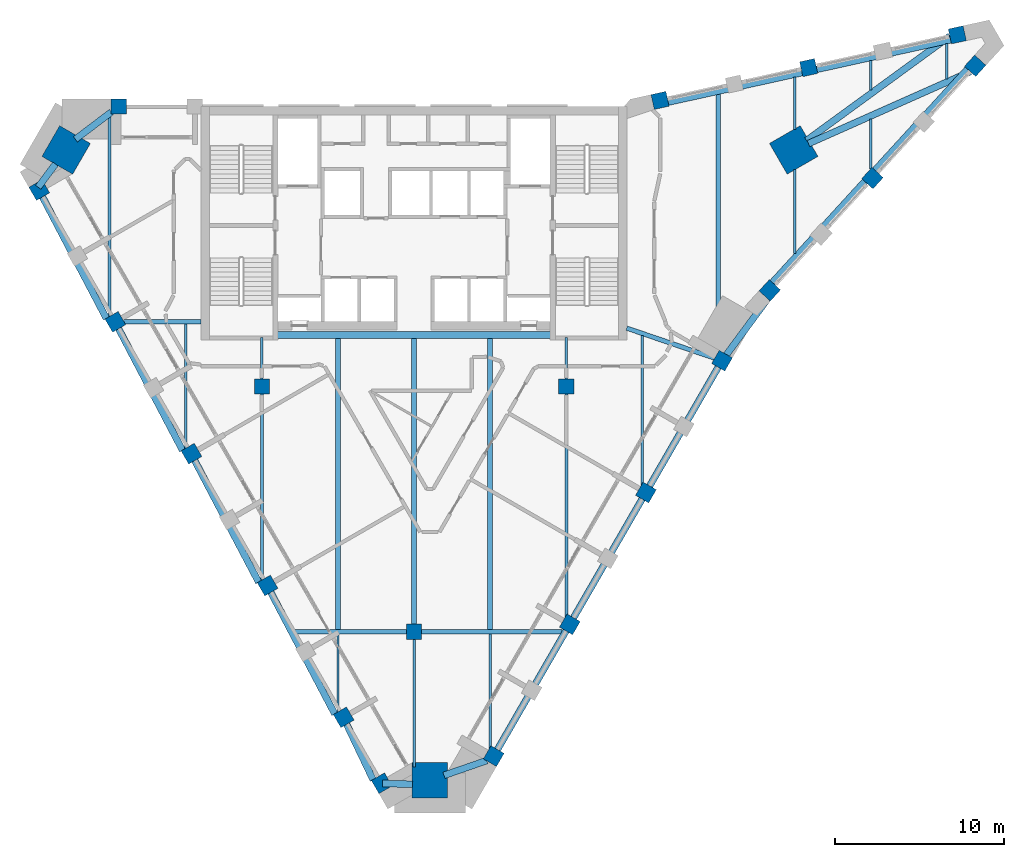
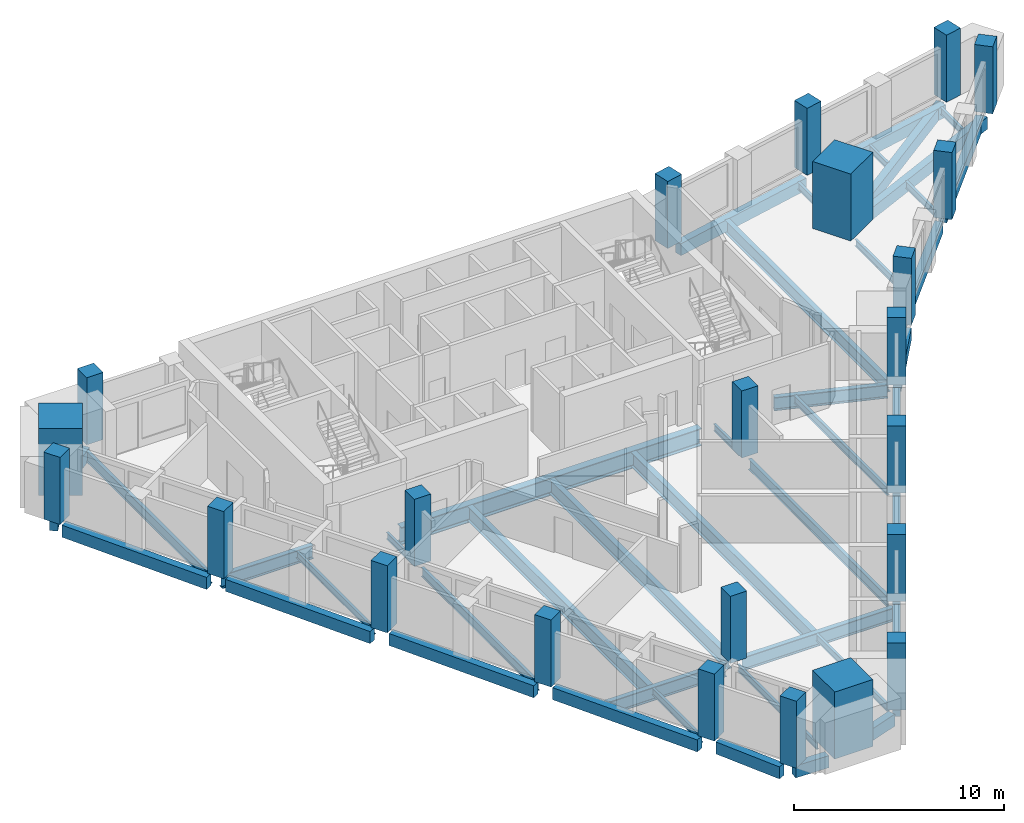
# One storey, part 1 of 9: 43 beams, 23 columns.
"""IFC4 building model written with IfcOpenShell, lengths in metres."""

from ifc_helpers import new_model, si_unit, direction, frame, origin, origin_2d, place, context, subcontext, project, spatial, rectangle, i_section, extrude, material, material_profile, profile_set, type_object, element, save


model = new_model("IFC4")

# Units and contexts
model_context = context("Model", 3, precision=1e-05, world=origin(), true_north=direction((0.0, 1.0)))
body_context = subcontext(model_context, "Body", "Model", "MODEL_VIEW")
ifc_project = project(units=[si_unit("LENGTHUNIT", "METRE"), si_unit("AREAUNIT", "SQUARE_METRE"), si_unit("VOLUMEUNIT", "CUBIC_METRE"), si_unit("PLANEANGLEUNIT", "RADIAN"), si_unit("MASSUNIT", "GRAM", prefix="KILO")], contexts=[model_context])

# Site, building, storey
site_placement = place(None, origin())
site = spatial("IfcSite", under=ifc_project, at=site_placement, CompositionType="ELEMENT")
building_placement = place(site_placement, origin())
building = spatial("IfcBuilding", under=site, at=building_placement, Name="Calabash Gate Tower", CompositionType="ELEMENT")
storey_placement = place(building_placement, frame((0.0, 0.0, 291.10009765625)))
storey = spatial("IfcBuildingStorey", under=building, at=storey_placement, Name="L70", CompositionType="ELEMENT", Elevation=291.10009765625)

# Columns
ifc_material_1 = material(Name="Concrete C60/75", Category="concrete")
ifc_material_profile_1 = material_profile(ifc_material_1, rectangle(XDim=0.89990234375, YDim=0.89990234375, at=origin_2d()))
ifc_profile_set_1 = profile_set([ifc_material_profile_1], Name="Concrete C60/75")
column_type_1 = type_object("IfcColumnType", Name="Interior column RC 900x900 Concrete C60/75", PredefinedType="COLUMN", material=ifc_profile_set_1)
for number, where, z_axis, x_axis, name in (
    (1, (-9.0, 2.5, 0.0), (0.0, 0.0, 1.0), (1.0, 0.0, 0.0), "Interior column L70 I0"),
    (2, (9.0, 2.5, 0.0), (0.0, 0.0, 1.0), (1.0, 0.0, 0.0), "Interior column L70 I1"),
    (3, (0.0, -12.0, 0.0), (0.0, 0.0, 1.0), (1.0, 0.0, 0.0), "Interior column L70 I2"),
):
    element("IfcColumn", number, at=place(storey_placement, frame(where, z_axis=z_axis, x_axis=x_axis)), inside=storey, type_object=column_type_1, Name=name, PredefinedType="COLUMN", context=body_context, shape_type="SweptSolid", body=[
        extrude(rectangle(XDim=0.89990234375, YDim=0.89990234375, at=origin_2d()), origin(), (0.0, 0.0, 1.0), 3.89990234375),
    ])
ifc_material_2 = material(Name="Concrete C60/75", Category="concrete")
ifc_material_profile_2 = material_profile(ifc_material_2, rectangle(XDim=2.10009765625, YDim=2.10009765625, at=origin_2d()))
ifc_profile_set_2 = profile_set([ifc_material_profile_2], Name="Concrete C60/75")
column_type_2 = type_object("IfcColumnType", Name="Mega column RC 2100x2100 Concrete C60/75", PredefinedType="COLUMN", material=ifc_profile_set_2)
for number, where, z_axis, x_axis, name in (
    (4, (-20.572998046875, 16.491943359375, 0.0), (0.0, 0.0, 1.0), (0.866025395058, -0.500000015115, 0.0), "Mega column L70 NW"),
    (5, (22.447021484375, 16.491943359375, 0.0), (0.0, 0.0, 1.0), (-0.866025395058, -0.500000015115, 0.0), "Mega column L70 NE"),
    (6, (0.93603515625, -20.76611328125, 0.0), (0.0, 0.0, 1.0), (0.0, 1.0, 0.0), "Mega column L70 S"),
):
    element("IfcColumn", number, at=place(storey_placement, frame(where, z_axis=z_axis, x_axis=x_axis)), inside=storey, type_object=column_type_2, Name=name, PredefinedType="COLUMN", context=body_context, shape_type="SweptSolid", body=[
        extrude(rectangle(XDim=2.10009765625, YDim=2.10009765625, at=origin_2d()), origin(), (0.0, 0.0, 1.0), 3.89990234375),
    ])
ifc_material_3 = material(Name="Concrete C50/60", Category="concrete")
ifc_material_profile_3 = material_profile(ifc_material_3, rectangle(XDim=0.89990234375, YDim=0.89990234375, at=origin_2d()))
ifc_profile_set_3 = profile_set([ifc_material_profile_3], Name="Concrete C50/60")
column_type_3 = type_object("IfcColumnType", Name="Perimeter column RC 900x900 Concrete C50/60", PredefinedType="COLUMN", material=ifc_profile_set_3)
for number, where, z_axis, x_axis, name in (
    (7, (-22.162109375, 14.1201171875, 0.0), (0.0, 0.0, 1.0), (0.500000015115, -0.866025395058, 0.0), "Perimeter column L70 P20"),
    (8, (-17.662109375, 6.325927734375, 0.0), (0.0, 0.0, 1.0), (0.500000015115, -0.866025395058, 0.0), "Perimeter column L70 P00"),
    (9, (-13.162109375, -1.468017578125, 0.0), (0.0, 0.0, 1.0), (0.500000015115, -0.866025395058, 0.0), "Perimeter column L70 P01"),
    (10, (-8.662109375, -9.262939453125, 0.0), (0.0, 0.0, 1.0), (0.500000015115, -0.866025395058, 0.0), "Perimeter column L70 P02"),
    (11, (-4.162109375, -17.056884765625, 0.0), (0.0, 0.0, 1.0), (0.500000015115, -0.866025395058, 0.0), "Perimeter column L70 P03"),
    (12, (-1.912109375, -20.9541015625, 0.0), (0.0, 0.0, 1.0), (0.500000015115, -0.866025395058, 0.0), "Perimeter column L70 P25"),
    (13, (4.7080078125, -19.35302734375, 0.0), (0.0, 0.0, 1.0), (0.499999984885, 0.866025412511, 0.0), "Perimeter column L70 P08"),
    (14, (9.2080078125, -11.55908203125, 0.0), (0.0, 0.0, 1.0), (0.499999984885, 0.866025412511, 0.0), "Perimeter column L70 P09"),
    (15, (13.7080078125, -3.762939453125, 0.0), (0.0, 0.0, 1.0), (0.499999984885, 0.866025412511, 0.0), "Perimeter column L70 P10"),
    (16, (18.2080078125, 4.030029296875, 0.0), (0.0, 0.0, 1.0), (0.499999984885, 0.866025412511, 0.0), "Perimeter column L70 P11"),
    (17, (21.031005859375, 8.18701171875, 0.0), (0.0, 0.0, 1.0), (0.67485604152, 0.737949404244, 0.0), "Perimeter column L70 P12"),
    (18, (27.10400390625, 14.825927734375, 0.0), (0.0, 0.0, 1.0), (0.67485604152, 0.737949404244, 0.0), "Perimeter column L70 P36"),
    (19, (33.177978515625, 21.468017578125, 0.0), (0.0, 0.0, 1.0), (0.67485604152, 0.737949404244, 0.0), "Perimeter column L70 P37"),
    (20, (32.12109375, 23.298095703125, 0.0), (0.0, 0.0, 1.0), (-0.976510951543, -0.215467773731, 0.0), "Perimeter column L70 P38"),
    (21, (23.3330078125, 21.35888671875, 0.0), (0.0, 0.0, 1.0), (-0.976510951543, -0.215467773731, 0.0), "Perimeter column L70 P39"),
    (22, (14.5439453125, 19.4189453125, 0.0), (0.0, 0.0, 1.0), (-0.976510951543, -0.215467773731, 0.0), "Perimeter column L70 P40"),
    (23, (-17.466064453125, 19.052978515625, 0.0), (0.0, 0.0, 1.0), (-1.0, 0.0, 0.0), "Perimeter column L70 P31"),
):
    element("IfcColumn", number, at=place(storey_placement, frame(where, z_axis=z_axis, x_axis=x_axis)), inside=storey, type_object=column_type_3, Name=name, PredefinedType="COLUMN", context=body_context, shape_type="SweptSolid", body=[
        extrude(rectangle(XDim=0.89990234375, YDim=0.89990234375, at=origin_2d()), origin(), (0.0, 0.0, 1.0), 3.89990234375),
    ])

# Beams
ifc_material_4 = material(Name="Concrete C50/60", Category="concrete")
ifc_material_profile_4 = material_profile(ifc_material_4, rectangle(XDim=0.39990234375, YDim=0.699951171875, at=origin_2d()))
ifc_profile_set_4 = profile_set([ifc_material_profile_4], Name="Concrete C50/60")
beam_type_1 = type_object("IfcBeamType", Name="Edge beam RC 400x700 Concrete C50/60", PredefinedType="BEAM", material=ifc_profile_set_4)
beam_1_placement = place(storey_placement, frame((-12.97998046875, -1.85693359375, -0.52001953125), z_axis=(0.465462476969, -0.885067614668, 0.0), x_axis=(0.885067614668, 0.465462476969, 0.0)))
element("IfcBeam", 24, at=beam_1_placement, inside=storey, type_object=beam_type_1, Name="Edge beam L70 1", PredefinedType="BEAM", context=body_context, shape_type="SweptSolid", body=[
    extrude(rectangle(XDim=0.39990234375, YDim=0.699951171875, at=origin_2d()), origin(), (0.0, 0.0, 1.0), 8.15087890625),
])
beam_2_placement = place(storey_placement, frame((-8.47998046875, -9.652099609375, -0.52001953125), z_axis=(0.465622937093, -0.884983209136, 0.0), x_axis=(0.884983209136, 0.465622937093, 0.0)))
element("IfcBeam", 25, at=beam_2_placement, inside=storey, type_object=beam_type_1, Name="Edge beam L70 2", PredefinedType="BEAM", context=body_context, shape_type="SweptSolid", body=[
    extrude(rectangle(XDim=0.39990234375, YDim=0.699951171875, at=origin_2d()), origin(), (0.0, 0.0, 1.0), 8.148193359375),
])
beam_3_placement = place(storey_placement, frame((-3.9990234375, -17.443115234375, -0.52001953125), z_axis=(0.430191259431, -0.902737769404, 0.0), x_axis=(0.902737769404, 0.430191259431, 0.0)))
element("IfcBeam", 26, at=beam_3_placement, inside=storey, type_object=beam_type_1, Name="Edge beam L70 3", PredefinedType="BEAM", context=body_context, shape_type="SweptSolid", body=[
    extrude(rectangle(XDim=0.39990234375, YDim=0.699951171875, at=origin_2d()), origin(), (0.0, 0.0, 1.0), 3.677490234375),
])
beam_4_placement = place(storey_placement, frame((-1.868896484375, -20.966064453125, -0.52001953125), z_axis=(0.999576333146, -0.029105913733, 0.0), x_axis=(0.029105913733, 0.999576333146, 0.0)))
element("IfcBeam", 27, at=beam_4_placement, inside=storey, type_object=beam_type_1, Name="Edge beam L70 4", PredefinedType="BEAM", context=body_context, shape_type="SweptSolid", body=[
    extrude(rectangle(XDim=0.39990234375, YDim=0.699951171875, at=origin_2d()), origin(), (0.0, 0.0, 1.0), 1.78662109375),
])
beam_5_placement = place(storey_placement, frame((1.76708984375, -20.489013671875, -0.52001953125), z_axis=(0.944963304699, 0.327176332844, 0.0), x_axis=(-0.327176332844, 0.944963304699, 0.0)))
element("IfcBeam", 28, at=beam_5_placement, inside=storey, type_object=beam_type_1, Name="Edge beam L70 5", PredefinedType="BEAM", context=body_context, shape_type="SweptSolid", body=[
    extrude(rectangle(XDim=0.39990234375, YDim=0.699951171875, at=origin_2d()), origin(), (0.0, 0.0, 1.0), 2.677490234375),
])
beam_6_placement = place(storey_placement, frame((4.8369140625, -19.1298828125, -0.52001953125), z_axis=(0.500024390412, 0.866011321516, 0.0), x_axis=(-0.866011321516, 0.500024390412, 0.0)))
element("IfcBeam", 29, at=beam_6_placement, inside=storey, type_object=beam_type_1, Name="Edge beam L70 6", PredefinedType="BEAM", context=body_context, shape_type="SweptSolid", body=[
    extrude(rectangle(XDim=0.39990234375, YDim=0.699951171875, at=origin_2d()), origin(), (0.0, 0.0, 1.0), 8.3056640625),
])
beam_7_placement = place(storey_placement, frame((9.3369140625, -11.3359375, -0.52001953125), z_axis=(0.499973480863, 0.866040714074, 0.0), x_axis=(-0.866040714074, 0.499973480863, 0.0)))
element("IfcBeam", 30, at=beam_7_placement, inside=storey, type_object=beam_type_1, Name="Edge beam L70 7", PredefinedType="BEAM", context=body_context, shape_type="SweptSolid", body=[
    extrude(rectangle(XDim=0.39990234375, YDim=0.699951171875, at=origin_2d()), origin(), (0.0, 0.0, 1.0), 8.306640625),
])
beam_8_placement = place(storey_placement, frame((13.8369140625, -3.541015625, -0.52001953125), z_axis=(0.500011662214, 0.866018670497, 0.0), x_axis=(-0.866018670497, 0.500011662214, 0.0)))
element("IfcBeam", 31, at=beam_8_placement, inside=storey, type_object=beam_type_1, Name="Edge beam L70 8", PredefinedType="BEAM", context=body_context, shape_type="SweptSolid", body=[
    extrude(rectangle(XDim=0.39990234375, YDim=0.699951171875, at=origin_2d()), origin(), (0.0, 0.0, 1.0), 8.305908203125),
])
beam_9_placement = place(storey_placement, frame((18.364013671875, 4.239013671875, -0.52001953125), z_axis=(0.594201802394, 0.804315993893, 0.0), x_axis=(-0.804315993893, 0.594201802394, 0.0)))
element("IfcBeam", 32, at=beam_9_placement, inside=storey, type_object=beam_type_1, Name="Edge beam L70 9", PredefinedType="BEAM", context=body_context, shape_type="SweptSolid", body=[
    extrude(rectangle(XDim=0.39990234375, YDim=0.699951171875, at=origin_2d()), origin(), (0.0, 0.0, 1.0), 4.316650390625),
])
beam_10_placement = place(storey_placement, frame((21.18701171875, 8.652099609375, -0.52001953125), z_axis=(0.674873802315, 0.737933161573, 0.0), x_axis=(-0.737933161573, 0.674873802315, 0.0)))
element("IfcBeam", 33, at=beam_10_placement, inside=storey, type_object=beam_type_1, Name="Edge beam L70 10", PredefinedType="BEAM", context=body_context, shape_type="SweptSolid", body=[
    extrude(rectangle(XDim=0.39990234375, YDim=0.699951171875, at=origin_2d()), origin(), (0.0, 0.0, 1.0), 8.099365234375),
])
beam_11_placement = place(storey_placement, frame((27.260009765625, 15.29296875, -0.52001953125), z_axis=(0.67486440312, 0.737941757459, 0.0), x_axis=(-0.737941757459, 0.67486440312, 0.0)))
element("IfcBeam", 34, at=beam_11_placement, inside=storey, type_object=beam_type_1, Name="Edge beam L70 11", PredefinedType="BEAM", context=body_context, shape_type="SweptSolid", body=[
    extrude(rectangle(XDim=0.39990234375, YDim=0.699951171875, at=origin_2d()), origin(), (0.0, 0.0, 1.0), 8.100830078125),
])
beam_12_placement = place(storey_placement, frame((32.90087890625, 21.1259765625, -0.52001953125), z_axis=(-0.913795229391, -0.406175182332, 0.0), x_axis=(0.406175182332, -0.913795229391, 0.0)))
element("IfcBeam", 35, at=beam_12_placement, inside=storey, type_object=beam_type_1, Name="Edge beam L70 12", PredefinedType="BEAM", context=body_context, shape_type="SweptSolid", body=[
    extrude(rectangle(XDim=0.39990234375, YDim=0.699951171875, at=origin_2d()), origin(), (0.0, 0.0, 1.0), 10.488037109375),
])
beam_13_placement = place(storey_placement, frame((23.2099609375, 17.049072265625, -0.52001953125), z_axis=(0.808064306111, 0.589094285484, 0.0), x_axis=(-0.589094285484, 0.808064306111, 0.0)))
element("IfcBeam", 36, at=beam_13_placement, inside=storey, type_object=beam_type_1, Name="Edge beam L70 13", PredefinedType="BEAM", context=body_context, shape_type="SweptSolid", body=[
    extrude(rectangle(XDim=0.39990234375, YDim=0.699951171875, at=origin_2d()), origin(), (0.0, 0.0, 1.0), 10.490478515625),
])
beam_14_placement = place(storey_placement, frame((31.72705078125, 23.006103515625, -0.52001953125), z_axis=(-0.976492437334, -0.215551663945, 0.0), x_axis=(0.215551663945, -0.976492437334, 0.0)))
element("IfcBeam", 37, at=beam_14_placement, inside=storey, type_object=beam_type_1, Name="Edge beam L70 14", PredefinedType="BEAM", context=body_context, shape_type="SweptSolid", body=[
    extrude(rectangle(XDim=0.39990234375, YDim=0.699951171875, at=origin_2d()), origin(), (0.0, 0.0, 1.0), 8.1005859375),
])
beam_15_placement = place(storey_placement, frame((22.93603515625, 21.06591796875, -0.52001953125), z_axis=(-0.976517152373, -0.215439669332, 0.0), x_axis=(0.215439669332, -0.976517152373, 0.0)))
element("IfcBeam", 38, at=beam_15_placement, inside=storey, type_object=beam_type_1, Name="Edge beam L70 15", PredefinedType="BEAM", context=body_context, shape_type="SweptSolid", body=[
    extrude(rectangle(XDim=0.39990234375, YDim=0.699951171875, at=origin_2d()), origin(), (0.0, 0.0, 1.0), 8.09912109375),
])
beam_16_placement = place(storey_placement, frame((-17.89208984375, 18.737060546875, -0.52001953125), z_axis=(-0.797179894288, -0.603741845611, 0.0), x_axis=(0.603741845611, -0.797179894288, 0.0)))
element("IfcBeam", 39, at=beam_16_placement, inside=storey, type_object=beam_type_1, Name="Edge beam L70 16", PredefinedType="BEAM", context=body_context, shape_type="SweptSolid", body=[
    extrude(rectangle(XDim=0.39990234375, YDim=0.699951171875, at=origin_2d()), origin(), (0.0, 0.0, 1.0), 2.67822265625),
])
beam_17_placement = place(storey_placement, frame((-21.202880859375, 15.6630859375, -0.52001953125), z_axis=(-0.59582917679, -0.803111195344, 0.0), x_axis=(0.803111195344, -0.59582917679, 0.0)))
element("IfcBeam", 40, at=beam_17_placement, inside=storey, type_object=beam_type_1, Name="Edge beam L70 17", PredefinedType="BEAM", context=body_context, shape_type="SweptSolid", body=[
    extrude(rectangle(XDim=0.39990234375, YDim=0.699951171875, at=origin_2d()), origin(), (0.0, 0.0, 1.0), 1.71728515625),
])
beam_18_placement = place(storey_placement, frame((-21.97998046875, 13.73095703125, -0.52001953125), z_axis=(0.465474816672, -0.885061125033, 0.0), x_axis=(0.885061125033, 0.465474816672, 0.0)))
element("IfcBeam", 41, at=beam_18_placement, inside=storey, type_object=beam_type_1, Name="Edge beam L70 18", PredefinedType="BEAM", context=body_context, shape_type="SweptSolid", body=[
    extrude(rectangle(XDim=0.39990234375, YDim=0.699951171875, at=origin_2d()), origin(), (0.0, 0.0, 1.0), 8.150634765625),
])
beam_19_placement = place(storey_placement, frame((-17.47998046875, 5.93701171875, -0.52001953125), z_axis=(0.465462476969, -0.885067614668, 0.0), x_axis=(0.885067614668, 0.465462476969, 0.0)))
element("IfcBeam", 42, at=beam_19_placement, inside=storey, type_object=beam_type_1, Name="Edge beam L70 19", PredefinedType="BEAM", context=body_context, shape_type="SweptSolid", body=[
    extrude(rectangle(XDim=0.39990234375, YDim=0.699951171875, at=origin_2d()), origin(), (0.0, 0.0, 1.0), 8.15087890625),
])
ifc_material_5 = material(Name="Steel ASTM A992 Gr50", Category="steel")
ifc_material_profile_5 = material_profile(ifc_material_5, i_section(OverallWidth=0.1396484375, OverallDepth=0.398681640625, WebThickness=0.00634765625, FlangeThickness=0.0087890625, FilletRadius=0.01025390625, at=origin_2d()))
ifc_profile_set_5 = profile_set([ifc_material_profile_5], Name="Steel ASTM A992 Gr50")
beam_type_2 = type_object("IfcBeamType", Name="Floor beam W16x26 ASTM A992 Gr50", PredefinedType="BEAM", material=ifc_profile_set_5)
beam_20_placement = place(storey_placement, frame((-13.5, -1.173095703125, -0.369140625), z_axis=(0.0, 1.0, 0.0), x_axis=(-1.0, 0.0, 0.0)))
element("IfcBeam", 43, at=beam_20_placement, inside=storey, type_object=beam_type_2, Name="Floor beam L70 2", PredefinedType="BEAM", context=body_context, shape_type="SweptSolid", body=[
    extrude(i_section(OverallWidth=0.1396484375, OverallDepth=0.398681640625, WebThickness=0.00634765625, FlangeThickness=0.0087890625, FilletRadius=0.01025390625, at=origin_2d()), origin(), (0.0, 0.0, 1.0), 7.364990234375),
])
beam_21_placement = place(storey_placement, frame((-9.0, 2.949951171875, -0.369140625), z_axis=(0.0, 1.0, 0.0), x_axis=(-1.0, 0.0, 0.0)))
element("IfcBeam", 44, at=beam_21_placement, inside=storey, type_object=beam_type_2, Name="Floor beam L70 4", PredefinedType="BEAM", context=body_context, shape_type="SweptSolid", body=[
    extrude(i_section(OverallWidth=0.1396484375, OverallDepth=0.398681640625, WebThickness=0.00634765625, FlangeThickness=0.0087890625, FilletRadius=0.01025390625, at=origin_2d()), origin(), (0.0, 0.0, 1.0), 2.453125),
])
beam_22_placement = place(storey_placement, frame((-4.5, -16.762939453125, -0.369140625), z_axis=(0.0, 1.0, 0.0), x_axis=(-1.0, 0.0, 0.0)))
element("IfcBeam", 45, at=beam_22_placement, inside=storey, type_object=beam_type_2, Name="Floor beam L70 5", PredefinedType="BEAM", context=body_context, shape_type="SweptSolid", body=[
    extrude(i_section(OverallWidth=0.1396484375, OverallDepth=0.398681640625, WebThickness=0.00634765625, FlangeThickness=0.0087890625, FilletRadius=0.01025390625, at=origin_2d()), origin(), (0.0, 0.0, 1.0), 4.6298828125),
])
beam_23_placement = place(storey_placement, frame((0.0, -20.008056640625, -0.369140625), z_axis=(0.0, 1.0, 0.0), x_axis=(-1.0, 0.0, 0.0)))
element("IfcBeam", 46, at=beam_23_placement, inside=storey, type_object=beam_type_2, Name="Floor beam L70 7", PredefinedType="BEAM", context=body_context, shape_type="SweptSolid", body=[
    extrude(i_section(OverallWidth=0.1396484375, OverallDepth=0.398681640625, WebThickness=0.00634765625, FlangeThickness=0.0087890625, FilletRadius=0.01025390625, at=origin_2d()), origin(), (0.0, 0.0, 1.0), 7.55810546875),
])
beam_24_placement = place(storey_placement, frame((4.5, -18.93310546875, -0.369140625), z_axis=(0.0, 1.0, 0.0), x_axis=(-1.0, 0.0, 0.0)))
element("IfcBeam", 47, at=beam_24_placement, inside=storey, type_object=beam_type_2, Name="Floor beam L70 9", PredefinedType="BEAM", context=body_context, shape_type="SweptSolid", body=[
    extrude(i_section(OverallWidth=0.1396484375, OverallDepth=0.398681640625, WebThickness=0.00634765625, FlangeThickness=0.0087890625, FilletRadius=0.01025390625, at=origin_2d()), origin(), (0.0, 0.0, 1.0), 6.800048828125),
])
beam_25_placement = place(storey_placement, frame((9.0, 2.949951171875, -0.369140625), z_axis=(0.0, 1.0, 0.0), x_axis=(-1.0, 0.0, 0.0)))
element("IfcBeam", 48, at=beam_25_placement, inside=storey, type_object=beam_type_2, Name="Floor beam L70 12", PredefinedType="BEAM", context=body_context, shape_type="SweptSolid", body=[
    extrude(i_section(OverallWidth=0.1396484375, OverallDepth=0.398681640625, WebThickness=0.00634765625, FlangeThickness=0.0087890625, FilletRadius=0.01025390625, at=origin_2d()), origin(), (0.0, 0.0, 1.0), 2.453125),
])
beam_26_placement = place(storey_placement, frame((22.5, 10.3720703125, -0.369140625), z_axis=(0.0, 1.0, 0.0), x_axis=(-1.0, 0.0, 0.0)))
element("IfcBeam", 49, at=beam_26_placement, inside=storey, type_object=beam_type_2, Name="Floor beam L70 15", PredefinedType="BEAM", context=body_context, shape_type="SweptSolid", body=[
    extrude(i_section(OverallWidth=0.1396484375, OverallDepth=0.398681640625, WebThickness=0.00634765625, FlangeThickness=0.0087890625, FilletRadius=0.01025390625, at=origin_2d()), origin(), (0.0, 0.0, 1.0), 4.9619140625),
])
beam_27_placement = place(storey_placement, frame((22.5, 17.7119140625, -0.369140625), z_axis=(0.0, 1.0, 0.0), x_axis=(-1.0, 0.0, 0.0)))
element("IfcBeam", 50, at=beam_27_placement, inside=storey, type_object=beam_type_2, Name="Floor beam L70 16", PredefinedType="BEAM", context=body_context, shape_type="SweptSolid", body=[
    extrude(i_section(OverallWidth=0.1396484375, OverallDepth=0.398681640625, WebThickness=0.00634765625, FlangeThickness=0.0087890625, FilletRadius=0.01025390625, at=origin_2d()), origin(), (0.0, 0.0, 1.0), 3.085205078125),
])
beam_28_placement = place(storey_placement, frame((27.0, 15.35693359375, -0.369140625), z_axis=(0.0, 1.0, 0.0), x_axis=(-1.0, 0.0, 0.0)))
element("IfcBeam", 51, at=beam_28_placement, inside=storey, type_object=beam_type_2, Name="Floor beam L70 17", PredefinedType="BEAM", context=body_context, shape_type="SweptSolid", body=[
    extrude(i_section(OverallWidth=0.1396484375, OverallDepth=0.398681640625, WebThickness=0.00634765625, FlangeThickness=0.0087890625, FilletRadius=0.01025390625, at=origin_2d()), origin(), (0.0, 0.0, 1.0), 2.949951171875),
])
beam_29_placement = place(storey_placement, frame((27.0, 20.048095703125, -0.369140625), z_axis=(0.0, 1.0, 0.0), x_axis=(-1.0, 0.0, 0.0)))
element("IfcBeam", 52, at=beam_29_placement, inside=storey, type_object=beam_type_2, Name="Floor beam L70 18", PredefinedType="BEAM", context=body_context, shape_type="SweptSolid", body=[
    extrude(i_section(OverallWidth=0.1396484375, OverallDepth=0.398681640625, WebThickness=0.00634765625, FlangeThickness=0.0087890625, FilletRadius=0.01025390625, at=origin_2d()), origin(), (0.0, 0.0, 1.0), 1.741943359375),
])
beam_30_placement = place(storey_placement, frame((31.5, 20.699951171875, -0.369140625), z_axis=(0.0, 1.0, 0.0), x_axis=(-1.0, 0.0, 0.0)))
element("IfcBeam", 53, at=beam_30_placement, inside=storey, type_object=beam_type_2, Name="Floor beam L70 19", PredefinedType="BEAM", context=body_context, shape_type="SweptSolid", body=[
    extrude(i_section(OverallWidth=0.1396484375, OverallDepth=0.398681640625, WebThickness=0.00634765625, FlangeThickness=0.0087890625, FilletRadius=0.01025390625, at=origin_2d()), origin(), (0.0, 0.0, 1.0), 2.0830078125),
])
ifc_material_6 = material(Name="Steel ASTM A992 Gr50", Category="steel")
ifc_material_profile_6 = material_profile(ifc_material_6, i_section(OverallWidth=0.15234375, OverallDepth=0.44970703125, WebThickness=0.007568359375, FlangeThickness=0.0107421875, FilletRadius=0.01025390625, at=origin_2d()))
ifc_profile_set_6 = profile_set([ifc_material_profile_6], Name="Steel ASTM A992 Gr50")
beam_type_3 = type_object("IfcBeamType", Name="Floor beam W18x35 ASTM A992 Gr50", PredefinedType="BEAM", material=ifc_profile_set_6)
beam_31_placement = place(storey_placement, frame((13.5, -3.346923828125, -0.39306640625), z_axis=(0.0, 1.0, 0.0), x_axis=(-1.0, 0.0, 0.0)))
element("IfcBeam", 54, at=beam_31_placement, inside=storey, type_object=beam_type_3, Name="Floor beam L70 13", PredefinedType="BEAM", context=body_context, shape_type="SweptSolid", body=[
    extrude(i_section(OverallWidth=0.15234375, OverallDepth=0.44970703125, WebThickness=0.007568359375, FlangeThickness=0.0107421875, FilletRadius=0.01025390625, at=origin_2d()), origin(), (0.0, 0.0, 1.0), 8.8779296875),
])
ifc_material_7 = material(Name="Steel ASTM A992 Gr50", Category="steel")
ifc_material_profile_7 = material_profile(ifc_material_7, i_section(OverallWidth=0.166015625, OverallDepth=0.5283203125, WebThickness=0.009765625, FlangeThickness=0.013671875, FilletRadius=0.0126953125, at=origin_2d()))
ifc_profile_set_7 = profile_set([ifc_material_profile_7], Name="Steel ASTM A992 Gr50")
beam_type_4 = type_object("IfcBeamType", Name="Floor beam W21x50 ASTM A992 Gr50", PredefinedType="BEAM", material=ifc_profile_set_7)
beam_32_placement = place(storey_placement, frame((-9.0, -8.968994140625, -0.43408203125), z_axis=(0.0, 1.0, 0.0), x_axis=(-1.0, 0.0, 0.0)))
element("IfcBeam", 55, at=beam_32_placement, inside=storey, type_object=beam_type_4, Name="Floor beam L70 3", PredefinedType="BEAM", context=body_context, shape_type="SweptSolid", body=[
    extrude(i_section(OverallWidth=0.166015625, OverallDepth=0.5283203125, WebThickness=0.009765625, FlangeThickness=0.013671875, FilletRadius=0.0126953125, at=origin_2d()), origin(), (0.0, 0.0, 1.0), 11.01904296875),
])
ifc_material_8 = material(Name="Steel ASTM A992 Gr50", Category="steel")
ifc_material_profile_8 = material_profile(ifc_material_8, i_section(OverallWidth=0.1787109375, OverallDepth=0.60205078125, WebThickness=0.010986328125, FlangeThickness=0.014892578125, FilletRadius=0.0126953125, at=origin_2d()))
ifc_profile_set_8 = profile_set([ifc_material_profile_8], Name="Steel ASTM A992 Gr50")
beam_type_5 = type_object("IfcBeamType", Name="Floor beam W24x62 ASTM A992 Gr50", PredefinedType="BEAM", material=ifc_profile_set_8)
beam_33_placement = place(storey_placement, frame((-18.0, 6.6201171875, -0.47119140625), z_axis=(0.0, 1.0, 0.0), x_axis=(-1.0, 0.0, 0.0)))
element("IfcBeam", 56, at=beam_33_placement, inside=storey, type_object=beam_type_5, Name="Floor beam L70 1", PredefinedType="BEAM", context=body_context, shape_type="SweptSolid", body=[
    extrude(i_section(OverallWidth=0.1787109375, OverallDepth=0.60205078125, WebThickness=0.010986328125, FlangeThickness=0.014892578125, FilletRadius=0.0126953125, at=origin_2d()), origin(), (0.0, 0.0, 1.0), 11.81591796875),
])
beam_34_placement = place(storey_placement, frame((9.0, -11.14111328125, -0.47119140625), z_axis=(0.0, 1.0, 0.0), x_axis=(-1.0, 0.0, 0.0)))
element("IfcBeam", 57, at=beam_34_placement, inside=storey, type_object=beam_type_5, Name="Floor beam L70 11", PredefinedType="BEAM", context=body_context, shape_type="SweptSolid", body=[
    extrude(i_section(OverallWidth=0.1787109375, OverallDepth=0.60205078125, WebThickness=0.010986328125, FlangeThickness=0.014892578125, FilletRadius=0.0126953125, at=origin_2d()), origin(), (0.0, 0.0, 1.0), 13.191162109375),
])
ifc_material_9 = material(Name="Steel ASTM A992 Gr50", Category="steel")
ifc_material_profile_9 = material_profile(ifc_material_9, i_section(OverallWidth=0.2666015625, OverallDepth=0.7568359375, WebThickness=0.013916015625, FlangeThickness=0.019287109375, FilletRadius=0.0166015625, at=origin_2d()))
ifc_profile_set_9 = profile_set([ifc_material_profile_9], Name="Steel ASTM A992 Gr50")
beam_type_6 = type_object("IfcBeamType", Name="Floor beam W30x108 ASTM A992 Gr50", PredefinedType="BEAM", material=ifc_profile_set_9)
beam_35_placement = place(storey_placement, frame((18.0, 4.447021484375, -0.548095703125), z_axis=(0.0, 1.0, 0.0), x_axis=(-1.0, 0.0, 0.0)))
element("IfcBeam", 58, at=beam_35_placement, inside=storey, type_object=beam_type_6, Name="Floor beam L70 14", PredefinedType="BEAM", context=body_context, shape_type="SweptSolid", body=[
    extrude(i_section(OverallWidth=0.2666015625, OverallDepth=0.7568359375, WebThickness=0.013916015625, FlangeThickness=0.019287109375, FilletRadius=0.0166015625, at=origin_2d()), origin(), (0.0, 0.0, 1.0), 15.35693359375),
])
ifc_material_10 = material(Name="Steel ASTM A992 Gr50", Category="steel")
ifc_material_profile_10 = material_profile(ifc_material_10, i_section(OverallWidth=0.2919921875, OverallDepth=0.845703125, WebThickness=0.015380859375, FlangeThickness=0.0244140625, FilletRadius=0.017822265625, at=origin_2d()))
ifc_profile_set_10 = profile_set([ifc_material_profile_10], Name="Steel ASTM A992 Gr50")
beam_type_7 = type_object("IfcBeamType", Name="Floor beam W33x141 ASTM A992 Gr50", PredefinedType="BEAM", material=ifc_profile_set_10)
beam_36_placement = place(storey_placement, frame((-4.5, -11.866943359375, -0.593017578125), z_axis=(0.0, 1.0, 0.0), x_axis=(-1.0, 0.0, 0.0)))
element("IfcBeam", 59, at=beam_36_placement, inside=storey, type_object=beam_type_7, Name="Floor beam L70 6", PredefinedType="BEAM", context=body_context, shape_type="SweptSolid", body=[
    extrude(i_section(OverallWidth=0.2919921875, OverallDepth=0.845703125, WebThickness=0.015380859375, FlangeThickness=0.0244140625, FilletRadius=0.017822265625, at=origin_2d()), origin(), (0.0, 0.0, 1.0), 17.218994140625),
])
beam_37_placement = place(storey_placement, frame((0.0, -11.550048828125, -0.593017578125), z_axis=(0.0, 1.0, 0.0), x_axis=(-1.0, 0.0, 0.0)))
element("IfcBeam", 60, at=beam_37_placement, inside=storey, type_object=beam_type_7, Name="Floor beam L70 8", PredefinedType="BEAM", context=body_context, shape_type="SweptSolid", body=[
    extrude(i_section(OverallWidth=0.2919921875, OverallDepth=0.845703125, WebThickness=0.015380859375, FlangeThickness=0.0244140625, FilletRadius=0.017822265625, at=origin_2d()), origin(), (0.0, 0.0, 1.0), 16.902099609375),
])
beam_38_placement = place(storey_placement, frame((4.5, -11.866943359375, -0.593017578125), z_axis=(0.0, 1.0, 0.0), x_axis=(-1.0, 0.0, 0.0)))
element("IfcBeam", 61, at=beam_38_placement, inside=storey, type_object=beam_type_7, Name="Floor beam L70 10", PredefinedType="BEAM", context=body_context, shape_type="SweptSolid", body=[
    extrude(i_section(OverallWidth=0.2919921875, OverallDepth=0.845703125, WebThickness=0.015380859375, FlangeThickness=0.0244140625, FilletRadius=0.017822265625, at=origin_2d()), origin(), (0.0, 0.0, 1.0), 17.218994140625),
])
ifc_material_11 = material(Name="Steel ASTM A992 Gr50", Category="steel")
ifc_material_profile_11 = material_profile(ifc_material_11, i_section(OverallWidth=0.2666015625, OverallDepth=0.77978515625, WebThickness=0.0166015625, FlangeThickness=0.030029296875, FilletRadius=0.0166015625, at=origin_2d()))
ifc_profile_set_11 = profile_set([ifc_material_profile_11], Name="Steel ASTM A992 Gr50")
beam_type_8 = type_object("IfcBeamType", Name="Girder W30x148 ASTM A992 Gr50", PredefinedType="BEAM", material=ifc_profile_set_11)
beam_39_placement = place(storey_placement, frame((-17.6240234375, 6.325927734375, -0.56005859375), z_axis=(1.0, 0.0, 0.0), x_axis=(0.0, 1.0, 0.0)))
element("IfcBeam", 62, at=beam_39_placement, inside=storey, type_object=beam_type_8, Name="Girder L70 2", PredefinedType="BEAM", context=body_context, shape_type="SweptSolid", body=[
    extrude(i_section(OverallWidth=0.2666015625, OverallDepth=0.77978515625, WebThickness=0.0166015625, FlangeThickness=0.030029296875, FilletRadius=0.0166015625, at=origin_2d()), origin(), (0.0, 0.0, 1.0), 5.02392578125),
])
beam_40_placement = place(storey_placement, frame((17.803955078125, 4.16796875, -0.56005859375), z_axis=(-0.946191727355, 0.323606574539, 0.0), x_axis=(-0.323606574539, -0.946191727355, 0.0)))
element("IfcBeam", 63, at=beam_40_placement, inside=storey, type_object=beam_type_8, Name="Girder L70 3", PredefinedType="BEAM", context=body_context, shape_type="SweptSolid", body=[
    extrude(i_section(OverallWidth=0.2666015625, OverallDepth=0.77978515625, WebThickness=0.0166015625, FlangeThickness=0.030029296875, FilletRadius=0.0166015625, at=origin_2d()), origin(), (0.0, 0.0, 1.0), 5.531494140625),
])
beam_41_placement = place(storey_placement, frame((-7.031982421875, -12.0, -0.56005859375), z_axis=(1.0, 0.0, 0.0), x_axis=(0.0, 1.0, 0.0)))
element("IfcBeam", 64, at=beam_41_placement, inside=storey, type_object=beam_type_8, Name="Girder L70 4", PredefinedType="BEAM", context=body_context, shape_type="SweptSolid", body=[
    extrude(i_section(OverallWidth=0.2666015625, OverallDepth=0.77978515625, WebThickness=0.0166015625, FlangeThickness=0.030029296875, FilletRadius=0.0166015625, at=origin_2d()), origin(), (0.0, 0.0, 1.0), 6.58203125),
])
beam_42_placement = place(storey_placement, frame((0.449951171875, -12.0, -0.56005859375), z_axis=(1.0, 0.0, 0.0), x_axis=(0.0, 1.0, 0.0)))
element("IfcBeam", 65, at=beam_42_placement, inside=storey, type_object=beam_type_8, Name="Girder L70 5", PredefinedType="BEAM", context=body_context, shape_type="SweptSolid", body=[
    extrude(i_section(OverallWidth=0.2666015625, OverallDepth=0.77978515625, WebThickness=0.0166015625, FlangeThickness=0.030029296875, FilletRadius=0.0166015625, at=origin_2d()), origin(), (0.0, 0.0, 1.0), 8.29296875),
])
ifc_material_12 = material(Name="Steel ASTM A992 Gr50", Category="steel")
ifc_material_profile_12 = material_profile(ifc_material_12, i_section(OverallWidth=0.4013671875, OverallDepth=1.000732421875, WebThickness=0.01904296875, FlangeThickness=0.0361328125, FilletRadius=0.030029296875, at=origin_2d()))
ifc_profile_set_12 = profile_set([ifc_material_profile_12], Name="Steel ASTM A992 Gr50")
beam_type_9 = type_object("IfcBeamType", Name="Girder W40x249 ASTM A992 Gr50", PredefinedType="BEAM", material=ifc_profile_set_12)
beam_43_placement = place(storey_placement, frame((-8.25, 5.552978515625, -0.670166015625), z_axis=(1.0, 0.0, 0.0), x_axis=(0.0, 1.0, 0.0)))
element("IfcBeam", 66, at=beam_43_placement, inside=storey, type_object=beam_type_9, Name="Girder L70 1", PredefinedType="BEAM", context=body_context, shape_type="SweptSolid", body=[
    extrude(i_section(OverallWidth=0.4013671875, OverallDepth=1.000732421875, WebThickness=0.01904296875, FlangeThickness=0.0361328125, FilletRadius=0.030029296875, at=origin_2d()), origin(), (0.0, 0.0, 1.0), 16.5),
])

save(model, "model.ifc")
